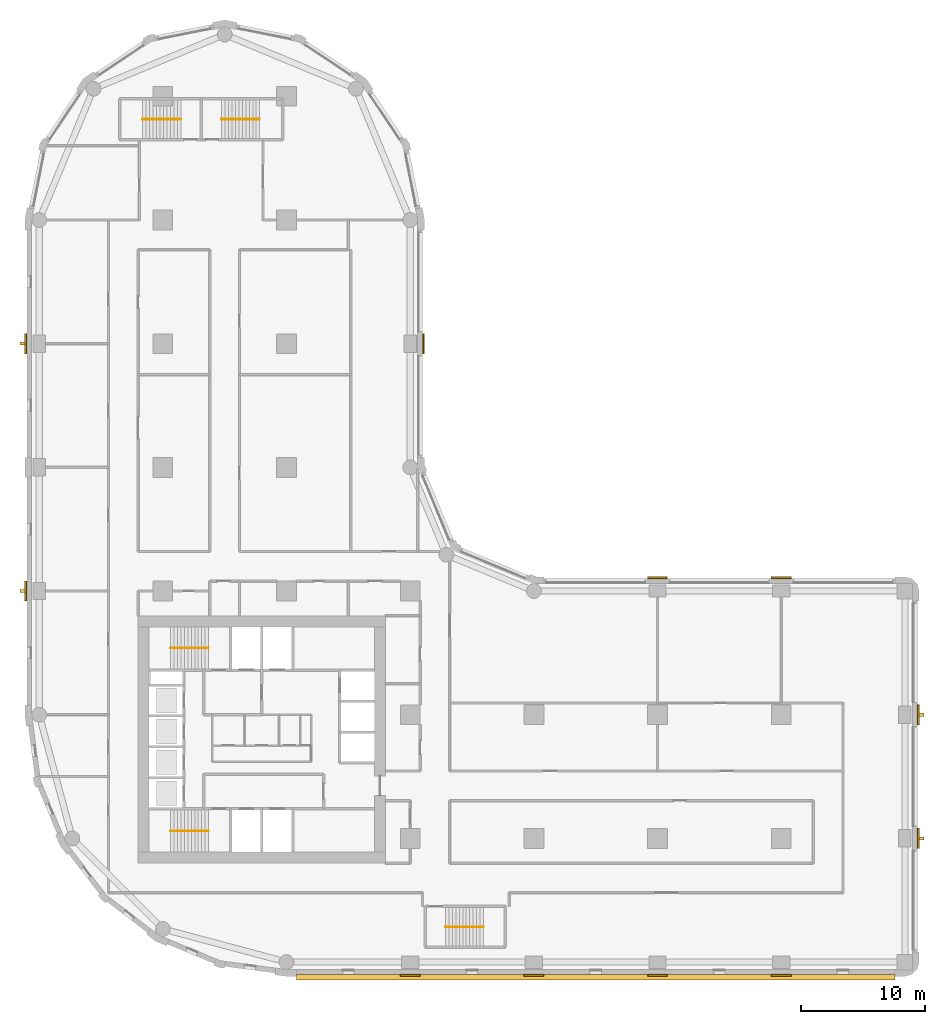
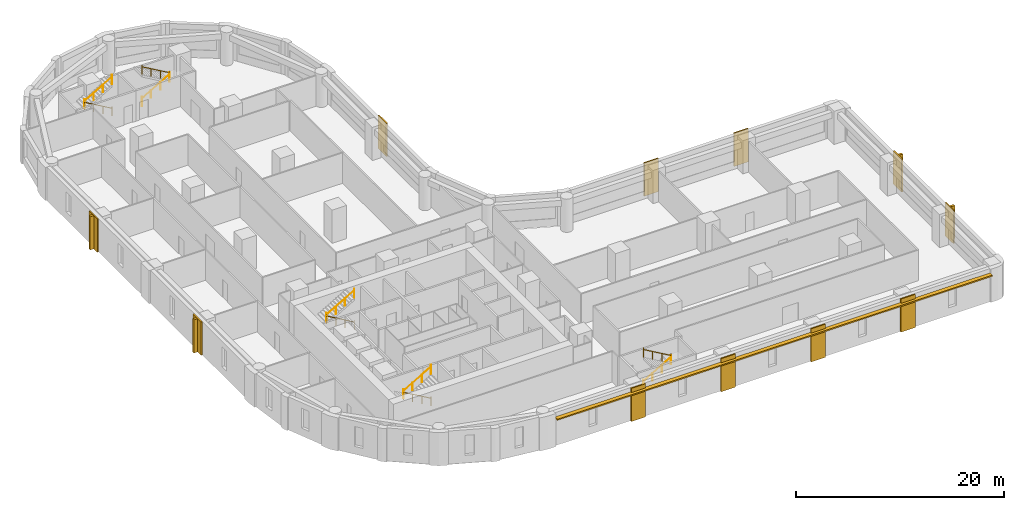
# One storey, part 9 of 10: 11 coverings, 10 railings, 5 shading devices.
"""IFC4 building model written with IfcOpenShell, lengths in metres."""

from ifc_helpers import new_model, si_unit, direction, frame, origin, origin_2d, place, context, subcontext, project, spatial, polyline, rectangle, circle, outline, extrude, material, layer, layer_set, type_object, element, save


model = new_model("IFC4")

# Units and contexts
model_context = context("Model", 3, precision=1e-05, world=origin(), true_north=direction((0.0, 1.0)))
body_context = subcontext(model_context, "Body", "Model", "MODEL_VIEW")
ifc_project = project(units=[si_unit("LENGTHUNIT", "METRE"), si_unit("AREAUNIT", "SQUARE_METRE"), si_unit("VOLUMEUNIT", "CUBIC_METRE"), si_unit("PLANEANGLEUNIT", "RADIAN"), si_unit("MASSUNIT", "GRAM", prefix="KILO")], contexts=[model_context])

# Site, building, storey
site_placement = place(None, origin())
site = spatial("IfcSite", under=ifc_project, at=site_placement, CompositionType="ELEMENT")
building_placement = place(site_placement, origin())
building = spatial("IfcBuilding", under=site, at=building_placement, Name="Qaws Garden Tower", CompositionType="ELEMENT")
storey_placement = place(building_placement, frame((0.0, 0.0, 19.800048828125)))
storey = spatial("IfcBuildingStorey", under=building, at=storey_placement, Name="L04", CompositionType="ELEMENT", Elevation=19.800048828125)

# Coverings
ifc_material_1 = material(Name="Clay facing brick masonry", Category="masonry")
ifc_layer_1 = layer(ifc_material_1, 0.14990234375)
ifc_layer_set_1 = layer_set([ifc_layer_1], Name="Clay facing brick masonry")
covering_type = type_object("IfcCoveringType", Name="Brick pilaster facing 150 x 1600", PredefinedType="CLADDING", material=ifc_layer_set_1)
placement = place(storey_placement, origin())
element("IfcCovering", 1, at=placement, inside=storey, type_object=covering_type, Name="E-L04-pier-01", PredefinedType="CLADDING", context=body_context, shape_type="SweptSolid", body=[
    extrude(outline(polyline([(29.199951171875, -1.0), (30.800048828125, -1.0), (30.800048828125, -1.14990234375), (29.199951171875, -1.14990234375), (29.199951171875, -1.0)])), origin(), (0.0, 0.0, 1.0), 3.89990234375),
])
element("IfcCovering", 2, at=placement, inside=storey, type_object=covering_type, Name="E-L04-pier-02", PredefinedType="CLADDING", context=body_context, shape_type="SweptSolid", body=[
    extrude(outline(polyline([(39.199951171875, -1.0), (40.800048828125, -1.0), (40.800048828125, -1.14990234375), (39.199951171875, -1.14990234375), (39.199951171875, -1.0)])), origin(), (0.0, 0.0, 1.0), 3.89990234375),
])
element("IfcCovering", 3, at=placement, inside=storey, type_object=covering_type, Name="E-L04-pier-03", PredefinedType="CLADDING", context=body_context, shape_type="SweptSolid", body=[
    extrude(outline(polyline([(49.199951171875, -1.0), (50.800048828125, -1.0), (50.800048828125, -1.14990234375), (49.199951171875, -1.14990234375), (49.199951171875, -1.0)])), origin(), (0.0, 0.0, 1.0), 3.89990234375),
])
element("IfcCovering", 4, at=placement, inside=storey, type_object=covering_type, Name="E-L04-pier-04", PredefinedType="CLADDING", context=body_context, shape_type="SweptSolid", body=[
    extrude(outline(polyline([(59.199951171875, -1.0), (60.800048828125, -1.0), (60.800048828125, -1.14990234375), (59.199951171875, -1.14990234375), (59.199951171875, -1.0)])), origin(), (0.0, 0.0, 1.0), 3.89990234375),
])
element("IfcCovering", 5, at=placement, inside=storey, type_object=covering_type, Name="E-L04-pier-06", PredefinedType="CLADDING", context=body_context, shape_type="SweptSolid", body=[
    extrude(outline(polyline([(71.0, 9.199951171875), (71.0, 10.800048828125), (71.14990234375, 10.800048828125), (71.14990234375, 9.199951171875), (71.0, 9.199951171875)])), origin(), (0.0, 0.0, 1.0), 3.89990234375),
])
element("IfcCovering", 6, at=placement, inside=storey, type_object=covering_type, Name="E-L04-pier-07", PredefinedType="CLADDING", context=body_context, shape_type="SweptSolid", body=[
    extrude(outline(polyline([(71.0, 19.199951171875), (71.0, 20.800048828125), (71.14990234375, 20.800048828125), (71.14990234375, 19.199951171875), (71.0, 19.199951171875)])), origin(), (0.0, 0.0, 1.0), 3.89990234375),
])
element("IfcCovering", 7, at=placement, inside=storey, type_object=covering_type, Name="E-L04-pier-09", PredefinedType="CLADDING", context=body_context, shape_type="SweptSolid", body=[
    extrude(outline(polyline([(60.800048828125, 31.0), (59.199951171875, 31.0), (59.199951171875, 31.14990234375), (60.800048828125, 31.14990234375), (60.800048828125, 31.0)])), origin(), (0.0, 0.0, 1.0), 3.89990234375),
])
element("IfcCovering", 8, at=placement, inside=storey, type_object=covering_type, Name="E-L04-pier-10", PredefinedType="CLADDING", context=body_context, shape_type="SweptSolid", body=[
    extrude(outline(polyline([(50.800048828125, 31.0), (49.199951171875, 31.0), (49.199951171875, 31.14990234375), (50.800048828125, 31.14990234375), (50.800048828125, 31.0)])), origin(), (0.0, 0.0, 1.0), 3.89990234375),
])
element("IfcCovering", 9, at=placement, inside=storey, type_object=covering_type, Name="E-L04-pier-14", PredefinedType="CLADDING", context=body_context, shape_type="SweptSolid", body=[
    extrude(outline(polyline([(31.0, 49.199951171875), (31.0, 50.800048828125), (31.14990234375, 50.800048828125), (31.14990234375, 49.199951171875), (31.0, 49.199951171875)])), origin(), (0.0, 0.0, 1.0), 3.89990234375),
])
element("IfcCovering", 10, at=placement, inside=storey, type_object=covering_type, Name="E-L04-pier-24", PredefinedType="CLADDING", context=body_context, shape_type="SweptSolid", body=[
    extrude(outline(polyline([(-1.0, 50.800048828125), (-1.0, 49.199951171875), (-1.14990234375, 49.199951171875), (-1.14990234375, 50.800048828125), (-1.0, 50.800048828125)])), origin(), (0.0, 0.0, 1.0), 3.89990234375),
])
element("IfcCovering", 11, at=placement, inside=storey, type_object=covering_type, Name="E-L04-pier-26", PredefinedType="CLADDING", context=body_context, shape_type="SweptSolid", body=[
    extrude(outline(polyline([(-1.0, 30.800048828125), (-1.0, 29.199951171875), (-1.14990234375, 29.199951171875), (-1.14990234375, 30.800048828125), (-1.0, 30.800048828125)])), origin(), (0.0, 0.0, 1.0), 3.89990234375),
])

# Shading devices
ifc_material_2 = material(Name="Clay facing brick masonry", Category="masonry")
ifc_layer_2 = layer(ifc_material_2, 0.14990234375)
ifc_layer_set_2 = layer_set([ifc_layer_2], Name="Clay facing brick masonry")
shading_device_type_1 = type_object("IfcShadingDeviceType", Name="Brick sunshade band 450 x 150", PredefinedType="JALOUSIE", material=ifc_layer_set_2)
shading_device_placement = place(storey_placement, frame((0.0, 0.0, 3.25)))
element("IfcShadingDevice", 12, at=shading_device_placement, inside=storey, type_object=shading_device_type_1, Name="SUNSHADE 00", PredefinedType="JALOUSIE", context=body_context, shape_type="SweptSolid", body=[
    extrude(outline(polyline([(20.800048828125, -1.0), (20.800048828125, -1.449951171875), (69.199951171875, -1.449951171875), (69.199951171875, -1.0), (60.800048828125, -1.0), (60.800048828125, -1.14990234375), (59.199951171875, -1.14990234375), (59.199951171875, -1.0), (50.800048828125, -1.0), (50.800048828125, -1.14990234375), (49.199951171875, -1.14990234375), (49.199951171875, -1.0), (40.800048828125, -1.0), (40.800048828125, -1.14990234375), (39.199951171875, -1.14990234375), (39.199951171875, -1.0), (30.800048828125, -1.0), (30.800048828125, -1.14990234375), (29.199951171875, -1.14990234375), (29.199951171875, -1.0), (20.800048828125, -1.0)])), origin(), (0.0, 0.0, 1.0), 0.14990234375),
])
ifc_material_3 = material(Name="Clay facing brick masonry", Category="masonry")
ifc_layer_3 = layer(ifc_material_3, 0.25)
ifc_layer_set_3 = layer_set([ifc_layer_3], Name="Clay facing brick masonry")
shading_device_type_2 = type_object("IfcShadingDeviceType", Name="Brick-faced fin 250 x 400", PredefinedType="USERDEFINED", material=ifc_layer_set_3)
for number, where, z_axis, x_axis, name in (
    (13, (71.35009765625, 10.0, 0.0), (0.0, 0.0, 1.0), (0.0, 1.0, 0.0), "FIN 06"),
    (14, (71.35009765625, 20.0, 0.0), (0.0, 0.0, 1.0), (0.0, 1.0, 0.0), "FIN 07"),
    (15, (-1.35009765625, 50.0, 0.0), (0.0, 0.0, 1.0), (0.0, -1.0, 0.0), "FIN 24"),
    (16, (-1.35009765625, 30.0, 0.0), (0.0, 0.0, 1.0), (0.0, -1.0, 0.0), "FIN 26"),
):
    element("IfcShadingDevice", number, at=place(storey_placement, frame(where, z_axis=z_axis, x_axis=x_axis)), inside=storey, type_object=shading_device_type_2, Name=name, ObjectType="FIN", PredefinedType="USERDEFINED", context=body_context, shape_type="SweptSolid", body=[
        extrude(rectangle(XDim=0.25, YDim=0.39990234375, at=origin_2d()), origin(), (0.0, 0.0, 1.0), 3.89990234375),
    ])

# Railings
ifc_material_4 = material(Name="Steel S355", Category="steel")
railing_type = type_object("IfcRailingType", Name="Stair handrail 900", PredefinedType="HANDRAIL", material=ifc_material_4)
railing_1_placement = place(storey_placement, frame((13.699951171875, 10.60009765625, 0.162353515625)))
element("IfcRailing", 17, at=railing_1_placement, inside=storey, type_object=railing_type, Name="Stair 1 handrail", PredefinedType="HANDRAIL", context=body_context, shape_type="SweptSolid", body=[
    extrude(circle(Radius=0.02392578125, at=origin_2d()), frame((0.0, 0.0, 0.8759765625), z_axis=(-0.864873446163, 0.0, 0.501989962173), x_axis=(0.0, -1.0, 0.0)), (0.0, 0.0, 1.0), 3.56103515625),
    extrude(circle(Radius=0.02099609375, at=origin_2d()), origin(), (0.0, 0.0, 1.0), 1.06201171875),
    extrude(circle(Radius=0.02099609375, at=origin_2d()), frame((-1.026611328125, 0.0, 0.595947265625)), (0.0, 0.0, 1.0), 0.851806640625),
    extrude(circle(Radius=0.02099609375, at=origin_2d()), frame((-2.05322265625, 0.0, 1.191650390625)), (0.0, 0.0, 1.0), 0.851806640625),
    extrude(circle(Radius=0.02099609375, at=origin_2d()), frame((-3.079833984375, 0.0, 1.78759765625)), (0.0, 0.0, 1.0), 1.06201171875),
])
railing_2_placement = place(storey_placement, frame((10.6201171875, 10.60009765625, 2.112548828125)))
element("IfcRailing", 18, at=railing_2_placement, inside=storey, type_object=railing_type, Name="Stair 1 handrail", PredefinedType="HANDRAIL", context=body_context, shape_type="SweptSolid", body=[
    extrude(circle(Radius=0.02392578125, at=origin_2d()), frame((0.0, 0.0, 0.8759765625), z_axis=(0.864903211148, 0.0, 0.501938676878), x_axis=(0.0, 1.0, 0.0)), (0.0, 0.0, 1.0), 3.560791015625),
    extrude(circle(Radius=0.02099609375, at=origin_2d()), origin(), (0.0, 0.0, 1.0), 1.06201171875),
    extrude(circle(Radius=0.02099609375, at=origin_2d()), frame((1.026611328125, 0.0, 0.595703125)), (0.0, 0.0, 1.0), 0.851806640625),
    extrude(circle(Radius=0.02099609375, at=origin_2d()), frame((2.05322265625, 0.0, 1.191650390625)), (0.0, 0.0, 1.0), 0.851806640625),
    extrude(circle(Radius=0.02099609375, at=origin_2d()), frame((3.079833984375, 0.0, 1.787353515625)), (0.0, 0.0, 1.0), 1.06201171875),
])
railing_3_placement = place(storey_placement, frame((13.699951171875, 25.39990234375, 0.162353515625)))
element("IfcRailing", 19, at=railing_3_placement, inside=storey, type_object=railing_type, Name="Stair 4 handrail", PredefinedType="HANDRAIL", context=body_context, shape_type="SweptSolid", body=[
    extrude(circle(Radius=0.02392578125, at=origin_2d()), frame((0.0, 0.0, 0.8759765625), z_axis=(-0.864873446163, 0.0, 0.501989962173), x_axis=(0.0, -1.0, 0.0)), (0.0, 0.0, 1.0), 3.56103515625),
    extrude(circle(Radius=0.02099609375, at=origin_2d()), origin(), (0.0, 0.0, 1.0), 1.06201171875),
    extrude(circle(Radius=0.02099609375, at=origin_2d()), frame((-1.026611328125, 0.0, 0.595947265625)), (0.0, 0.0, 1.0), 0.851806640625),
    extrude(circle(Radius=0.02099609375, at=origin_2d()), frame((-2.05322265625, 0.0, 1.191650390625)), (0.0, 0.0, 1.0), 0.851806640625),
    extrude(circle(Radius=0.02099609375, at=origin_2d()), frame((-3.079833984375, 0.0, 1.78759765625)), (0.0, 0.0, 1.0), 1.06201171875),
])
railing_4_placement = place(storey_placement, frame((10.6201171875, 25.39990234375, 2.112548828125)))
element("IfcRailing", 20, at=railing_4_placement, inside=storey, type_object=railing_type, Name="Stair 4 handrail", PredefinedType="HANDRAIL", context=body_context, shape_type="SweptSolid", body=[
    extrude(circle(Radius=0.02392578125, at=origin_2d()), frame((0.0, 0.0, 0.8759765625), z_axis=(0.864903211148, 0.0, 0.501938676878), x_axis=(0.0, 1.0, 0.0)), (0.0, 0.0, 1.0), 3.560791015625),
    extrude(circle(Radius=0.02099609375, at=origin_2d()), origin(), (0.0, 0.0, 1.0), 1.06201171875),
    extrude(circle(Radius=0.02099609375, at=origin_2d()), frame((1.026611328125, 0.0, 0.595703125)), (0.0, 0.0, 1.0), 0.851806640625),
    extrude(circle(Radius=0.02099609375, at=origin_2d()), frame((2.05322265625, 0.0, 1.191650390625)), (0.0, 0.0, 1.0), 0.851806640625),
    extrude(circle(Radius=0.02099609375, at=origin_2d()), frame((3.079833984375, 0.0, 1.787353515625)), (0.0, 0.0, 1.0), 1.06201171875),
])
railing_5_placement = place(storey_placement, frame((32.85009765625, 2.85009765625, 0.162353515625)))
element("IfcRailing", 21, at=railing_5_placement, inside=storey, type_object=railing_type, Name="Stair 5 handrail", PredefinedType="HANDRAIL", context=body_context, shape_type="SweptSolid", body=[
    extrude(circle(Radius=0.02392578125, at=origin_2d()), frame((0.0, 0.0, 0.8759765625), z_axis=(0.864873446163, 0.0, 0.501989962173), x_axis=(0.0, 1.0, 0.0)), (0.0, 0.0, 1.0), 3.56103515625),
    extrude(circle(Radius=0.02099609375, at=origin_2d()), origin(), (0.0, 0.0, 1.0), 1.06201171875),
    extrude(circle(Radius=0.02099609375, at=origin_2d()), frame((1.026611328125, 0.0, 0.595947265625)), (0.0, 0.0, 1.0), 0.851806640625),
    extrude(circle(Radius=0.02099609375, at=origin_2d()), frame((2.05322265625, 0.0, 1.191650390625)), (0.0, 0.0, 1.0), 0.851806640625),
    extrude(circle(Radius=0.02099609375, at=origin_2d()), frame((3.079833984375, 0.0, 1.78759765625)), (0.0, 0.0, 1.0), 1.06201171875),
])
railing_6_placement = place(storey_placement, frame((35.929931640625, 2.85009765625, 2.112548828125)))
element("IfcRailing", 22, at=railing_6_placement, inside=storey, type_object=railing_type, Name="Stair 5 handrail", PredefinedType="HANDRAIL", context=body_context, shape_type="SweptSolid", body=[
    extrude(circle(Radius=0.02392578125, at=origin_2d()), frame((0.0, 0.0, 0.8759765625), z_axis=(-0.864903211148, 0.0, 0.501938676878), x_axis=(0.0, -1.0, 0.0)), (0.0, 0.0, 1.0), 3.560791015625),
    extrude(circle(Radius=0.02099609375, at=origin_2d()), origin(), (0.0, 0.0, 1.0), 1.06201171875),
    extrude(circle(Radius=0.02099609375, at=origin_2d()), frame((-1.026611328125, 0.0, 0.595703125)), (0.0, 0.0, 1.0), 0.851806640625),
    extrude(circle(Radius=0.02099609375, at=origin_2d()), frame((-2.05322265625, 0.0, 1.191650390625)), (0.0, 0.0, 1.0), 0.851806640625),
    extrude(circle(Radius=0.02099609375, at=origin_2d()), frame((-3.079833984375, 0.0, 1.787353515625)), (0.0, 0.0, 1.0), 1.06201171875),
])
railing_7_placement = place(storey_placement, frame((11.449951171875, 68.14990234375, 0.162353515625)))
element("IfcRailing", 23, at=railing_7_placement, inside=storey, type_object=railing_type, Name="Stair 6 handrail", PredefinedType="HANDRAIL", context=body_context, shape_type="SweptSolid", body=[
    extrude(circle(Radius=0.02392578125, at=origin_2d()), frame((0.0, 0.0, 0.8759765625), z_axis=(-0.864873446163, 0.0, 0.501989962173), x_axis=(0.0, -1.0, 0.0)), (0.0, 0.0, 1.0), 3.56103515625),
    extrude(circle(Radius=0.02099609375, at=origin_2d()), origin(), (0.0, 0.0, 1.0), 1.06201171875),
    extrude(circle(Radius=0.02099609375, at=origin_2d()), frame((-1.026611328125, 0.0, 0.595947265625)), (0.0, 0.0, 1.0), 0.851806640625),
    extrude(circle(Radius=0.02099609375, at=origin_2d()), frame((-2.05322265625, 0.0, 1.191650390625)), (0.0, 0.0, 1.0), 0.851806640625),
    extrude(circle(Radius=0.02099609375, at=origin_2d()), frame((-3.079833984375, 0.0, 1.78759765625)), (0.0, 0.0, 1.0), 1.06201171875),
])
railing_8_placement = place(storey_placement, frame((8.3701171875, 68.14990234375, 2.112548828125)))
element("IfcRailing", 24, at=railing_8_placement, inside=storey, type_object=railing_type, Name="Stair 6 handrail", PredefinedType="HANDRAIL", context=body_context, shape_type="SweptSolid", body=[
    extrude(circle(Radius=0.02392578125, at=origin_2d()), frame((0.0, 0.0, 0.8759765625), z_axis=(0.864903211148, 0.0, 0.501938676878), x_axis=(0.0, 1.0, 0.0)), (0.0, 0.0, 1.0), 3.560791015625),
    extrude(circle(Radius=0.02099609375, at=origin_2d()), origin(), (0.0, 0.0, 1.0), 1.06201171875),
    extrude(circle(Radius=0.02099609375, at=origin_2d()), frame((1.026611328125, 0.0, 0.595703125)), (0.0, 0.0, 1.0), 0.851806640625),
    extrude(circle(Radius=0.02099609375, at=origin_2d()), frame((2.05322265625, 0.0, 1.191650390625)), (0.0, 0.0, 1.0), 0.851806640625),
    extrude(circle(Radius=0.02099609375, at=origin_2d()), frame((3.079833984375, 0.0, 1.787353515625)), (0.0, 0.0, 1.0), 1.06201171875),
])
railing_9_placement = place(storey_placement, frame((14.75, 68.14990234375, 0.162353515625)))
element("IfcRailing", 25, at=railing_9_placement, inside=storey, type_object=railing_type, Name="Stair 7 handrail", PredefinedType="HANDRAIL", context=body_context, shape_type="SweptSolid", body=[
    extrude(circle(Radius=0.02392578125, at=origin_2d()), frame((0.0, 0.0, 0.8759765625), z_axis=(0.864890721111, 0.0, 0.501960198159), x_axis=(0.0, 1.0, 0.0)), (0.0, 0.0, 1.0), 3.561279296875),
    extrude(circle(Radius=0.02099609375, at=origin_2d()), origin(), (0.0, 0.0, 1.0), 1.06201171875),
    extrude(circle(Radius=0.02099609375, at=origin_2d()), frame((1.026611328125, 0.0, 0.595947265625)), (0.0, 0.0, 1.0), 0.851806640625),
    extrude(circle(Radius=0.02099609375, at=origin_2d()), frame((2.053466796875, 0.0, 1.191650390625)), (0.0, 0.0, 1.0), 0.851806640625),
    extrude(circle(Radius=0.02099609375, at=origin_2d()), frame((3.080078125, 0.0, 1.78759765625)), (0.0, 0.0, 1.0), 1.06201171875),
])
railing_10_placement = place(storey_placement, frame((17.830078125, 68.14990234375, 2.112548828125)))
element("IfcRailing", 26, at=railing_10_placement, inside=storey, type_object=railing_type, Name="Stair 7 handrail", PredefinedType="HANDRAIL", context=body_context, shape_type="SweptSolid", body=[
    extrude(circle(Radius=0.02392578125, at=origin_2d()), frame((0.0, 0.0, 0.8759765625), z_axis=(-0.864920483161, 0.0, 0.501908913857), x_axis=(0.0, -1.0, 0.0)), (0.0, 0.0, 1.0), 3.56103515625),
    extrude(circle(Radius=0.02099609375, at=origin_2d()), origin(), (0.0, 0.0, 1.0), 1.06201171875),
    extrude(circle(Radius=0.02099609375, at=origin_2d()), frame((-1.026611328125, 0.0, 0.595703125)), (0.0, 0.0, 1.0), 0.851806640625),
    extrude(circle(Radius=0.02099609375, at=origin_2d()), frame((-2.053466796875, 0.0, 1.191650390625)), (0.0, 0.0, 1.0), 0.851806640625),
    extrude(circle(Radius=0.02099609375, at=origin_2d()), frame((-3.080078125, 0.0, 1.787353515625)), (0.0, 0.0, 1.0), 1.06201171875),
])

save(model, "model.ifc")
